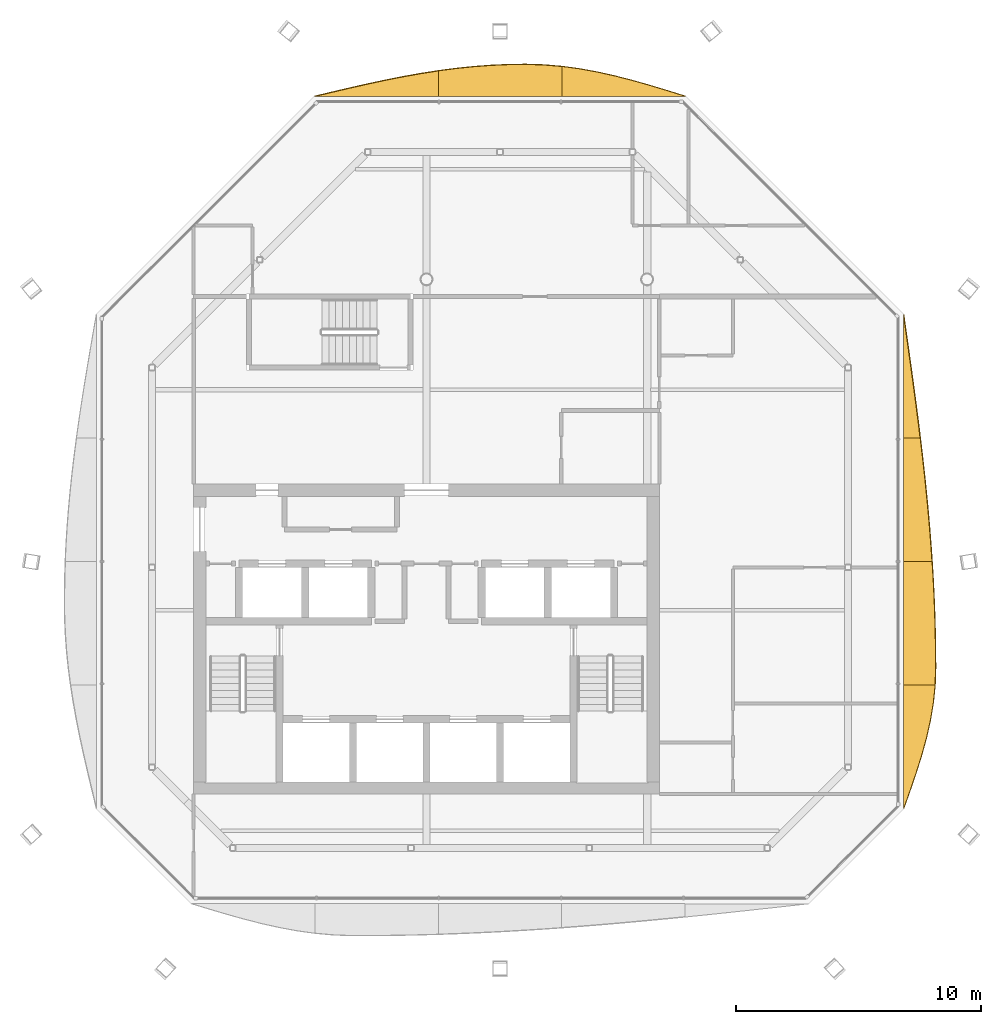
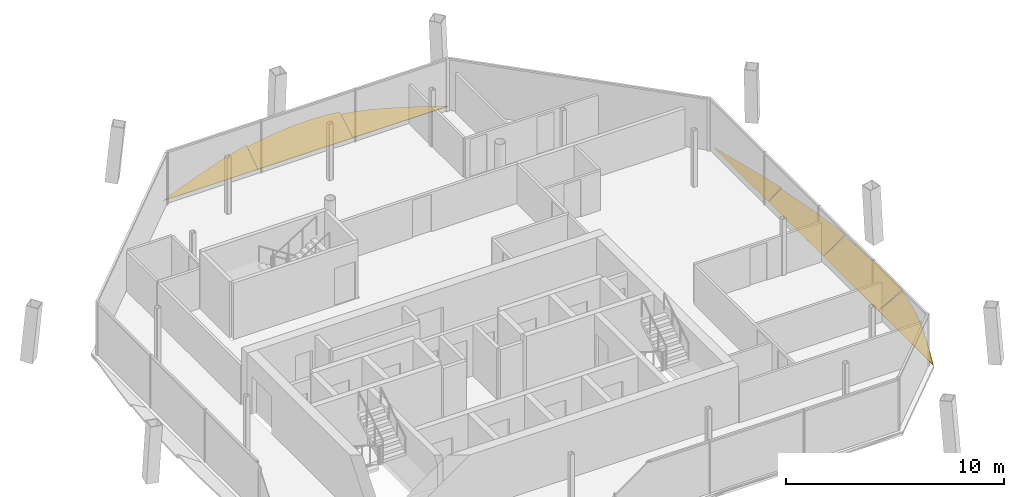
# One storey, part 14 of 14: 7 shading devices.
"""IFC4 building model written with IfcOpenShell, lengths in metres."""

from ifc_helpers import new_model, si_unit, direction, frame, origin, place, context, subcontext, project, spatial, polyline, outline, extrude, material, layer, layer_set, type_object, element, save


model = new_model("IFC4")

# Units and contexts
model_context = context("Model", 3, precision=1e-05, world=origin(), true_north=direction((0.0, 1.0)))
body_context = subcontext(model_context, "Body", "Model", "MODEL_VIEW")
ifc_project = project(units=[si_unit("LENGTHUNIT", "METRE"), si_unit("AREAUNIT", "SQUARE_METRE"), si_unit("VOLUMEUNIT", "CUBIC_METRE"), si_unit("PLANEANGLEUNIT", "RADIAN"), si_unit("MASSUNIT", "GRAM", prefix="KILO")], contexts=[model_context])

# Site, building, storey
site_placement = place(None, origin())
site = spatial("IfcSite", under=ifc_project, at=site_placement, CompositionType="ELEMENT")
building_placement = place(site_placement, origin())
building = spatial("IfcBuilding", under=site, at=building_placement, Name="Tskaro Facet Tower", CompositionType="ELEMENT")
storey_placement = place(building_placement, frame((0.0, 0.0, 272.10009765625)))
storey = spatial("IfcBuildingStorey", under=building, at=storey_placement, Name="L72", CompositionType="ELEMENT", Elevation=272.10009765625)

# Shading devices
ifc_material = material(Name="Bronze anodised aluminium 6063-T6", Category="aluminium")
ifc_layer = layer(ifc_material, 0.06005859375, Name="Bronze anodised aluminium 6063-T6")
ifc_layer_set = layer_set([ifc_layer], Name="Bronze anodised aluminium 6063-T6")
shading_device_type = type_object("IfcShadingDeviceType", Name="Bronze sun blade (FN1)", PredefinedType="USERDEFINED", material=ifc_layer_set)
shading_device_1_placement = place(storey_placement, frame((19.470703125, -12.5830078125, 0.05419921875), z_axis=(-0.422733787642, 3.29782e-07, 0.906253907459), x_axis=(1.3941e-07, 1.0, -2.98867e-07)))
element("IfcShadingDevice", 1, at=shading_device_1_placement, inside=storey, type_object=shading_device_type, Name="Fin blade east 1", ObjectType="FIN", PredefinedType="USERDEFINED", context=body_context, shape_type="SweptSolid", body=[
    extrude(outline(polyline([(0.0, 0.0), (5.035888671874726, 1.332988632432133e-22), (5.035888671874513, -1.4137873092030655), (4.31665039062412, -1.3335080951148799), (3.597167968746731, -1.2012383915180302), (2.877685546891373, -1.0223321247401458), (2.1582031249944227, -0.8038835674456057), (1.4389648437533973, -0.5538720058802925), (0.7194824218642403, -0.28234153251333755), (0.0, 0.0)])), origin(), (0.0, 0.0, -1.0), 0.06005859375),
])
shading_device_2_placement = place(storey_placement, frame((19.466064453125, -7.547119140625, 0.0517578125), z_axis=(-0.500066665287, 1.6246375e-05, 0.865986910989), x_axis=(8.124271e-06, 0.999999999868, -1.4069148e-05)))
element("IfcShadingDevice", 2, at=shading_device_2_placement, inside=storey, type_object=shading_device_type, Name="Fin blade east 2", ObjectType="FIN", PredefinedType="USERDEFINED", context=body_context, shape_type="SweptSolid", body=[
    extrude(outline(polyline([(0.0, 0.0), (5.03613281183537, -4.265770418935964e-21), (5.03613281256065, -1.3402306571729576), (4.3166503895155905, -1.3898938642579763), (3.597167968793908, -1.4310168351834587), (2.8779296890371038, -1.4633881473636858), (2.158447267011779, -1.4867963782129392), (1.4389648413594374, -1.5010301051455), (0.719482420933244, -1.5060565775706454), (0.6850585928127869, -1.5060565775706454), (-1.8105338721132906e-09, -1.4795901787491612), (0.0, 0.0)])), origin(), (0.0, 0.0, -1.0), 0.06005859375),
])
shading_device_3_placement = place(storey_placement, frame((19.461669921875, -2.510986328125, 0.049072265625), z_axis=(-0.573605599392, 2.245125e-06, 0.819131623331), x_axis=(1.287816e-06, 0.999999999997, -1.839053e-06)))
element("IfcShadingDevice", 3, at=shading_device_3_placement, inside=storey, type_object=shading_device_type, Name="Fin blade east 3", ObjectType="FIN", PredefinedType="USERDEFINED", context=body_context, shape_type="SweptSolid", body=[
    extrude(outline(polyline([(0.0, 0.0), (5.035888671862309, 0.0), (5.035888671963673, -0.8300323461426236), (4.3166503905766085, -0.9337964016045264), (3.5971679687420326, -1.0321402319658162), (2.877685546859868, -1.123643799405485), (2.158203124795534, -1.2086471276595503), (1.438964844026755, -1.285990105090421), (0.7194824217767417, -1.35555284594422), (1.7455317158466158e-11, -1.4169152289323295), (0.0, 0.0)])), origin(), (0.0, 0.0, -1.0), 0.06005859375),
])
shading_device_4_placement = place(storey_placement, frame((19.45751953125, 2.52490234375, 0.0458984375), z_axis=(-0.642837924429, -7.490255e-06, 0.766002221185), x_axis=(-4.81502e-06, 0.999999999972, 5.737552e-06)))
element("IfcShadingDevice", 4, at=shading_device_4_placement, inside=storey, type_object=shading_device_type, Name="Fin blade east 4", ObjectType="FIN", PredefinedType="USERDEFINED", context=body_context, shape_type="SweptSolid", body=[
    extrude(outline(polyline([(0.0, 0.0), (5.036132812358726, -2.132885209467982e-21), (4.316650390797461, -0.13325806639283327), (3.597167968560514, -0.2654842674446121), (2.8779296874484186, -0.39649159089429975), (2.15844726531028, -0.5249042162871569), (1.438964843721405, -0.650191176248462), (0.7194824220061109, -0.7713206054371606), (-2.8605721122624886e-10, -0.8876045936258831), (0.0, 0.0)])), origin(), (0.0, 0.0, -1.0), 0.06005859375),
])
shading_device_5_placement = place(storey_placement, frame((10.56103515625, 16.470703125, 0.05419921875), z_axis=(-2.3064852e-05, -0.422713448639, 0.906263394278), x_axis=(-0.999999999734, 9.749823e-06, -2.0902831e-05)))
element("IfcShadingDevice", 5, at=shading_device_5_placement, inside=storey, type_object=shading_device_type, Name="Fin blade north 1", ObjectType="FIN", PredefinedType="USERDEFINED", context=body_context, shape_type="SweptSolid", body=[
    extrude(outline(polyline([(0.0, 0.0), (5.040771483034186, 8.539399053691181e-21), (5.040771485311129, -1.3447616636062008), (4.320556641545264, -1.2367394379913221), (3.6005859385635706, -1.0923459952056984), (2.8803710927181574, -0.9154013258900819), (2.1604003893167096, -0.7114806137172404), (1.4401855460639406, -0.48626224388551575), (0.720214839756253, -0.2468404847277342), (0.0, 0.0)])), origin(), (0.0, 0.0, -1.0), 0.06005859375),
])
shading_device_6_placement = place(storey_placement, frame((5.520263671875, 16.466064453125, 0.0517578125), z_axis=(-6.153052e-06, -0.500079594544, 0.865979444954), x_axis=(-0.999999999981, 3.077016e-06, -5.328417e-06)))
element("IfcShadingDevice", 6, at=shading_device_6_placement, inside=storey, type_object=shading_device_type, Name="Fin blade north 2", ObjectType="FIN", PredefinedType="USERDEFINED", context=body_context, shape_type="SweptSolid", body=[
    extrude(outline(polyline([(0.0, 0.0), (5.040527343654583, 2.134746365846226e-21), (5.040527343754145, -1.2029615265303795), (4.320556640518554, -1.3117959541045974), (3.600341796950275, -1.3977670818773957), (2.8803710931449458, -1.4595736265445851), (2.160156250051208, -1.4958815460753807), (1.5222167966638256, -1.5060565781809854), (1.4401855472150369, -1.505723067673289), (0.7199707034593347, -1.4783782279620774), (-3.3259507354786453e-10, -1.407397182712372), (0.0, 0.0)])), origin(), (0.0, 0.0, -1.0), 0.06005859375),
])
shading_device_7_placement = place(storey_placement, frame((0.479736328125, 16.461669921875, 0.049072265625), z_axis=(8.370347e-06, -0.57362820031, 0.819115796295), x_axis=(-0.999999999965, -4.801467e-06, 6.856283e-06)))
element("IfcShadingDevice", 7, at=shading_device_7_placement, inside=storey, type_object=shading_device_type, Name="Fin blade north 3", ObjectType="FIN", PredefinedType="USERDEFINED", context=body_context, shape_type="SweptSolid", body=[
    extrude(outline(polyline([(0.0, 0.0), (5.040771484198415, 4.2696995268455906e-21), (4.320556640452872, -0.20982817953471977), (3.600585937506275, -0.41579621279132156), (2.8803710941136926, -0.6149239837137648), (2.160400391197399, -0.8030113206341236), (1.440185546340228, -0.9772780869388193), (0.7202148431416795, -1.1343442076868877), (-3.137477920408361e-10, -1.2717695716545583), (0.0, 0.0)])), origin(), (0.0, 0.0, -1.0), 0.06005859375),
])

save(model, "model.ifc")
